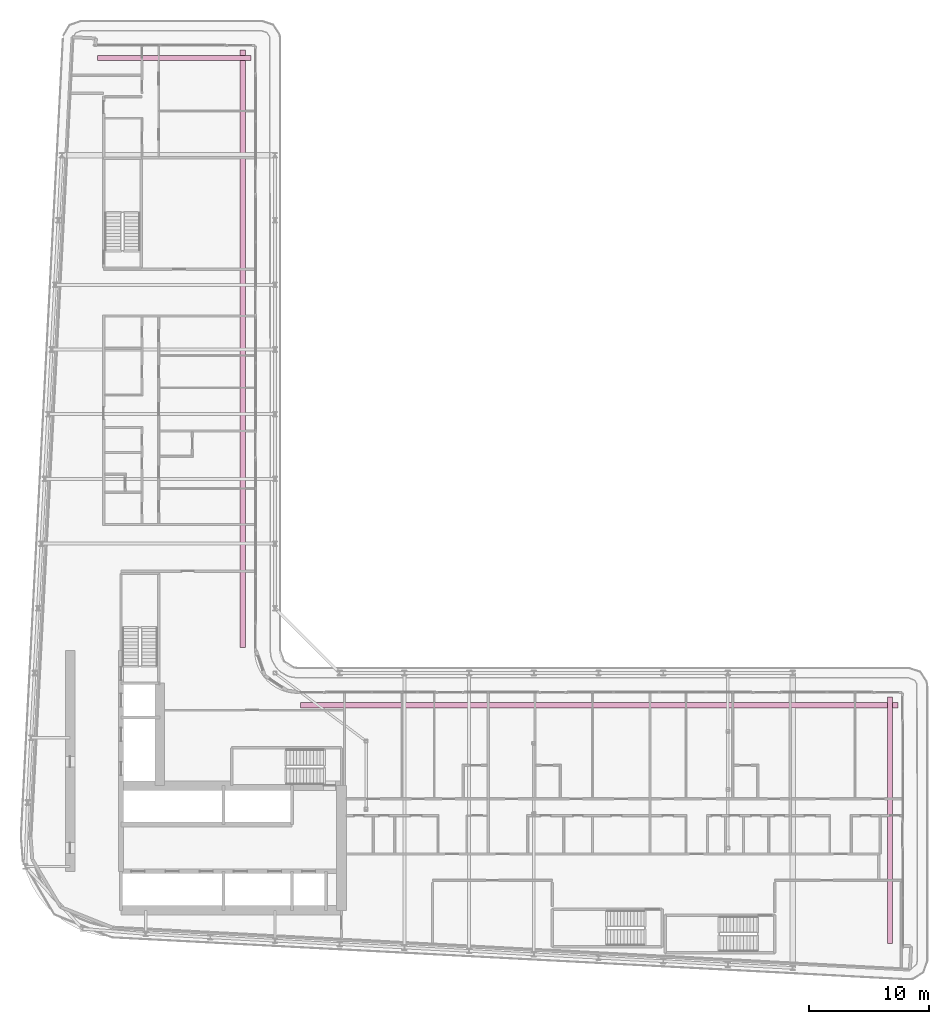
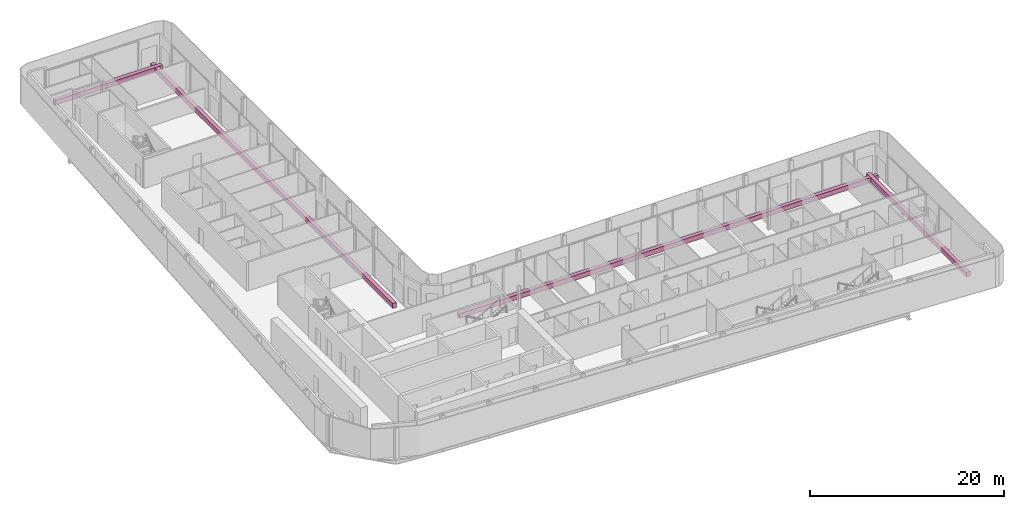
# One storey, part 28 of 28: 4 furniture elements.
"""IFC4 building model written with IfcOpenShell, lengths in metres."""

import ifcopenshell
import ifcopenshell.guid

model = None  # the IFC model being written
_history = None  # IfcOwnerHistory: only IFC2X3 demands one
_inside = {}  # id of a spatial element -> (the spatial element, [elements in it])
_under = {}  # id of a project, library or spatial element -> (it, [spatial elements below it])
_declared = {}  # id of a project -> (the project, [libraries it declares])
_typed = {}  # id of a type object -> (the type object, [elements of that type])
_made_of = {}  # id of a material, layer set ... -> (it, [elements and type objects made of it])


def new_model(schema):
    """Start an empty IFC model of exactly this schema.

    Asked for "IFC4X3", IfcOpenShell would pick the latest addendum, in which some entities
    have other attributes; the version numbers below select the first issue.
    IFC2X3 requires an IfcOwnerHistory on every rooted entity: one is made here for all.
    """
    global model, _history
    if schema == "IFC4X3":
        model = ifcopenshell.file(schema_version=(4, 3, 0, 0))
    else:
        model = ifcopenshell.file(schema=schema)
    _inside.clear()
    _under.clear()
    _declared.clear()
    _typed.clear()
    _made_of.clear()
    _history = None
    if model.schema == "IFC2X3":
        org = make("IfcOrganization", Name="unknown")
        user = make(
            "IfcPersonAndOrganization",
            ThePerson=make("IfcPerson", FamilyName="unknown"),
            TheOrganization=org,
        )
        app = make(
            "IfcApplication",
            ApplicationDeveloper=org,
            Version="unknown",
            ApplicationFullName="unknown",
            ApplicationIdentifier="unknown",
        )
        _history = make(
            "IfcOwnerHistory",
            OwningUser=user,
            OwningApplication=app,
            ChangeAction="ADDED",
            CreationDate=0,
        )
    return model


def make(cls, **values):
    """One entity of the class cls with the attributes given. An attribute that is None is left unset."""
    return model.create_entity(
        cls, **{name: value for name, value in values.items() if value is not None}
    )


def rooted(cls, **values):
    """An entity with a GlobalId (a new one), such as an element, a storey or a relation."""
    return make(cls, GlobalId=ifcopenshell.guid.new(), OwnerHistory=_history, **values)


def si_unit(unit_type, name, prefix=None):
    """IfcSIUnit, for example si_unit("LENGTHUNIT", "METRE", prefix="MILLI")."""
    return make("IfcSIUnit", UnitType=unit_type, Prefix=prefix, Name=name)


def assignment(units):
    """IfcUnitAssignment: the units of a project."""
    return None if units is None else make("IfcUnitAssignment", Units=units)


def point(xyz):
    """IfcCartesianPoint."""
    return None if xyz is None else make("IfcCartesianPoint", Coordinates=xyz)


def direction(xyz):
    """IfcDirection."""
    return None if xyz is None else make("IfcDirection", DirectionRatios=xyz)


def frame(location, z_axis=None, x_axis=None):
    """IfcAxis2Placement3D, a coordinate frame: its origin and axes. An axis left out is left unset."""
    return make(
        "IfcAxis2Placement3D",
        Location=point(location),
        Axis=direction(z_axis),
        RefDirection=direction(x_axis),
    )


def frame_2d(location, x_axis=None):
    """IfcAxis2Placement2D, a coordinate frame in the plane: its origin and x axis."""
    return make(
        "IfcAxis2Placement2D", Location=point(location), RefDirection=direction(x_axis)
    )


def origin():
    """The frame at (0, 0, 0) with its axes left unset."""
    return frame((0.0, 0.0, 0.0))


def origin_2d():
    """The frame at (0, 0) in the plane with its x axis left unset."""
    return frame_2d((0.0, 0.0))


def place(relative_to, where):
    """IfcLocalPlacement: puts the frame where relative to a parent placement (None: the world)."""
    return make(
        "IfcLocalPlacement", PlacementRelTo=relative_to, RelativePlacement=where
    )


def context(
    kind, dimensions, precision=None, world=None, true_north=None, identifier=None
):
    """IfcGeometricRepresentationContext, for example the 3D "Model" context."""
    return make(
        "IfcGeometricRepresentationContext",
        ContextIdentifier=identifier,
        ContextType=kind,
        CoordinateSpaceDimension=dimensions,
        Precision=precision,
        WorldCoordinateSystem=world,
        TrueNorth=true_north,
    )


def subcontext(parent, identifier, kind, view, scale=None):
    """IfcGeometricRepresentationSubContext, for example "Body" below "Model"."""
    return make(
        "IfcGeometricRepresentationSubContext",
        ContextIdentifier=identifier,
        ContextType=kind,
        ParentContext=parent,
        TargetScale=scale,
        TargetView=view,
    )


def project(units=None, contexts=None):
    """IfcProject with its units and contexts."""
    return rooted(
        "IfcProject",
        Name="project",
        RepresentationContexts=contexts,
        UnitsInContext=assignment(units),
    )


def spatial(cls, under=None, at=None, **own):
    """A site, building, storey or space (cls), placed at a placement, below another one or the project."""
    s = rooted(cls, ObjectPlacement=at, **own)
    if under is not None:
        _under.setdefault(under.id(), (under, []))[1].append(s)
    return s


def profile(cls, at=None, kind="AREA", **sizes):
    """A parametric profile (cls). Its sizes go by their IFC names, for example OverallWidth=200.0."""
    return make(cls, ProfileType=kind, Position=at, **sizes)


def rectangle(**sizes):
    """IfcRectangleProfileDef."""
    return profile("IfcRectangleProfileDef", **sizes)


def extrude(swept, where, along, depth):
    """IfcExtrudedAreaSolid: the profile swept, set in the frame where, extruded along a direction by depth."""
    return make(
        "IfcExtrudedAreaSolid",
        SweptArea=swept,
        Position=where,
        ExtrudedDirection=direction(along),
        Depth=depth,
    )


def shape(context_of_items, identifier, shape_type, items):
    """IfcShapeRepresentation: the items that make up one representation, for example the "Body"."""
    return make(
        "IfcShapeRepresentation",
        ContextOfItems=context_of_items,
        RepresentationIdentifier=identifier,
        RepresentationType=shape_type,
        Items=items,
    )


def material(Name=None, Category=None):
    """IfcMaterial."""
    return make("IfcMaterial", Name=Name, Category=Category)


def made_of(thing, what):
    """Note that an element or type object is made of a material, layer set ...; save() writes the relation."""
    if what is not None:
        _made_of.setdefault(what.id(), (what, []))[1].append(thing)
    return thing


def type_object(cls, material=None, **own):
    """A type object (cls), such as IfcWallType, which elements share."""
    return made_of(rooted(cls, **own), material)


def element(
    cls,
    number,
    at=None,
    inside=None,
    cuts=None,
    type_object=None,
    material=None,
    context=None,
    identifier="Body",
    shape_type=None,
    held_by="IfcProductDefinitionShape",
    body=None,
    shapes=None,
    **own,
):
    """One element of the class cls, such as IfcWall. Its Tag is "e" and its number.

    at: its placement. inside: the storey or other place that contains it. cuts: it is an
    opening in that element (IfcRelVoidsElement). A single representation is given by context,
    identifier, shape_type and body (its items); several are given by shapes. held_by: the class
    of the entity that holds the representations. save() writes the other relations.
    """
    e = rooted(cls, Tag="e%d" % number, ObjectPlacement=at, **own)
    if body is not None:
        shapes = [shape(context, identifier, shape_type, body)]
    if shapes is not None:
        e.Representation = make(held_by, Representations=shapes)
    if inside is not None:
        _inside.setdefault(inside.id(), (inside, []))[1].append(e)
    if cuts is not None:
        rooted(
            "IfcRelVoidsElement", RelatingBuildingElement=cuts, RelatedOpeningElement=e
        )
    if type_object is not None:
        _typed.setdefault(type_object.id(), (type_object, []))[1].append(e)
    return made_of(e, material)


def aggregate(whole, parts):
    """IfcRelAggregates: a whole, such as a stair, and the parts it consists of."""
    return rooted("IfcRelAggregates", RelatingObject=whole, RelatedObjects=parts)


def save(model, path):
    """Write the relations noted so far, then the file.

    IfcRelAggregates (storeys below a building ...), IfcRelContainedInSpatialStructure (elements
    in a storey), IfcRelDefinesByType, IfcRelAssociatesMaterial and IfcRelDeclares: one each for
    every whole, place, type object, material and project.
    """
    for whole, parts in _under.values():
        aggregate(whole, parts)
    for where, things in _inside.values():
        rooted(
            "IfcRelContainedInSpatialStructure",
            RelatedElements=things,
            RelatingStructure=where,
        )
    for kind, things in _typed.values():
        rooted("IfcRelDefinesByType", RelatedObjects=things, RelatingType=kind)
    for what, things in _made_of.values():
        rooted("IfcRelAssociatesMaterial", RelatedObjects=things, RelatingMaterial=what)
    for by, libraries in _declared.values():
        rooted("IfcRelDeclares", RelatingContext=by, RelatedDefinitions=libraries)
    model.write(path)


model = new_model("IFC4")

# Units and contexts
model_context = context("Model", 3, precision=1e-05, world=origin(), true_north=direction((0.0, 1.0)))
body_context = subcontext(model_context, "Body", "Model", "MODEL_VIEW")
ifc_project = project(units=[si_unit("LENGTHUNIT", "METRE"), si_unit("AREAUNIT", "SQUARE_METRE"), si_unit("VOLUMEUNIT", "CUBIC_METRE"), si_unit("PLANEANGLEUNIT", "RADIAN"), si_unit("MASSUNIT", "GRAM", prefix="KILO")], contexts=[model_context])

# Site, building, storey
site_placement = place(None, origin())
site = spatial("IfcSite", under=ifc_project, at=site_placement, CompositionType="ELEMENT")
building_placement = place(site_placement, origin())
building = spatial("IfcBuilding", under=site, at=building_placement, Name="Kheshtan School and Residences Tower", CompositionType="ELEMENT")
storey_placement = place(building_placement, frame((0.0, 0.0, 187.699951171875)))
storey = spatial("IfcBuildingStorey", under=building, at=storey_placement, Name="L44", CompositionType="ELEMENT", Elevation=187.699951171875)

# Furniture
ifc_material = material(Name="Precast concrete C30/37 in terracotta finish", Category="masonry")
furniture_type = type_object("IfcFurnitureType", Name="Planter trough", AssemblyPlace="NOTDEFINED", PredefinedType="USERDEFINED", material=ifc_material)
furniture_1_placement = place(storey_placement, frame((39.196044921875, 96.925048828125, 0.0), z_axis=(0.0, 0.0, 1.0), x_axis=(1.0, 0.0, 0.0)))
element("IfcFurniture", 1, at=furniture_1_placement, inside=storey, type_object=furniture_type, Name="Planter L44", ObjectType="PLANTER", PredefinedType="USERDEFINED", context=body_context, shape_type="SweptSolid", body=[
    extrude(rectangle(XDim=12.80810546875, YDim=0.449951171875, at=origin_2d()), origin(), (0.0, 0.0, 1.0), 0.60009765625),
])
for number, where, z_axis, x_axis, name in (
    (2, (44.925048828125, 72.6650390625, 0.0), (0.0, 0.0, 1.0), (0.0, -1.0, 0.0), "Planter L44"),
    (3, (74.6650390625, 42.925048828125, 0.0), (0.0, 0.0, 1.0), (1.0, 0.0, 0.0), "Planter L44"),
):
    element("IfcFurniture", number, at=place(storey_placement, frame(where, z_axis=z_axis, x_axis=x_axis)), inside=storey, type_object=furniture_type, Name=name, ObjectType="PLANTER", PredefinedType="USERDEFINED", context=body_context, shape_type="SweptSolid", body=[
        extrude(rectangle(XDim=49.8701171875, YDim=0.449951171875, at=origin_2d()), origin(), (0.0, 0.0, 1.0), 0.60009765625),
    ])
furniture_2_placement = place(storey_placement, frame((98.925048828125, 33.306884765625, 0.0), z_axis=(0.0, 0.0, 1.0), x_axis=(0.0, -1.0, 0.0)))
element("IfcFurniture", 4, at=furniture_2_placement, inside=storey, type_object=furniture_type, Name="Planter L44", ObjectType="PLANTER", PredefinedType="USERDEFINED", context=body_context, shape_type="SweptSolid", body=[
    extrude(rectangle(XDim=20.5859375, YDim=0.449951171875, at=origin_2d()), origin(), (0.0, 0.0, 1.0), 0.60009765625),
])

save(model, "model.ifc")
